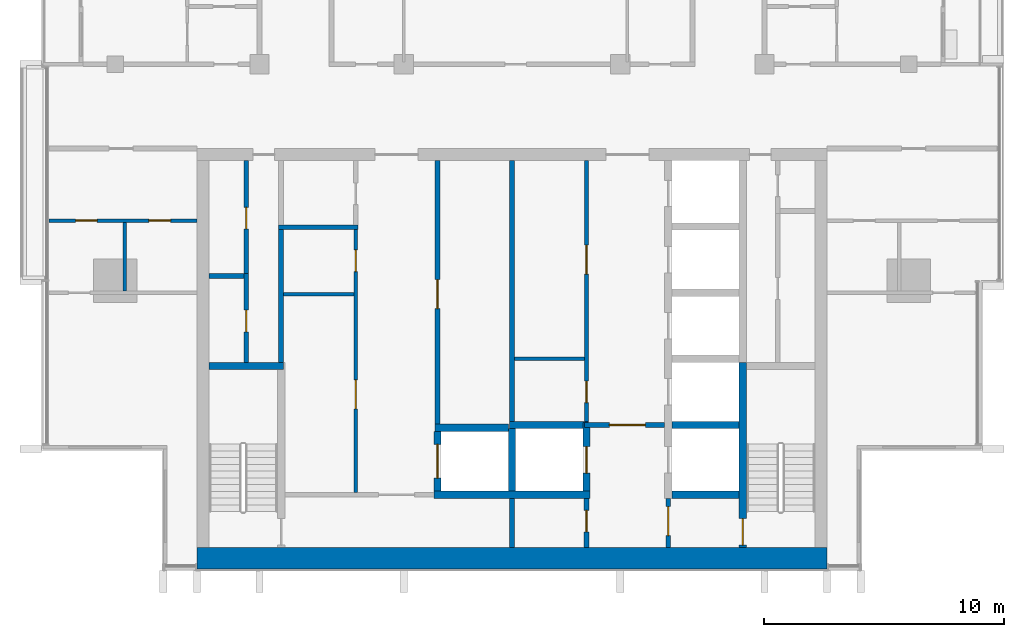
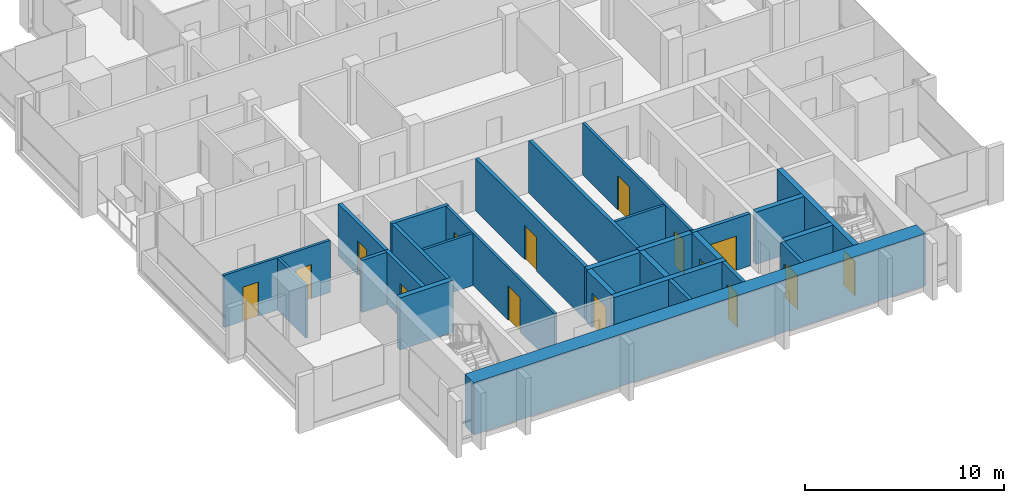
# One storey, part 7 of 16: 28 walls, 15 doors, 15 openings.
"""IFC4 building model written with IfcOpenShell, lengths in metres."""

from ifc_helpers import new_model, si_unit, direction, frame, frame_2d, origin, place, context, subcontext, project, spatial, rectangle, extrude, material, layer, layer_set, type_object, element, fill, save


model = new_model("IFC4")

# Units and contexts
model_context = context("Model", 3, precision=1e-05, world=origin(), true_north=direction((0.0, 1.0)))
body_context = subcontext(model_context, "Body", "Model", "MODEL_VIEW")
ifc_project = project(units=[si_unit("LENGTHUNIT", "METRE"), si_unit("AREAUNIT", "SQUARE_METRE"), si_unit("VOLUMEUNIT", "CUBIC_METRE"), si_unit("PLANEANGLEUNIT", "RADIAN"), si_unit("MASSUNIT", "GRAM", prefix="KILO")], contexts=[model_context])

# Site, building, storey
site_placement = place(None, origin())
site = spatial("IfcSite", under=ifc_project, at=site_placement, CompositionType="ELEMENT")
building_placement = place(site_placement, origin())
building = spatial("IfcBuilding", under=site, at=building_placement, Name="Finial Court Residences", CompositionType="ELEMENT")
storey_placement = place(building_placement, frame((0.0, 0.0, 295.10009765625)))
storey = spatial("IfcBuildingStorey", under=building, at=storey_placement, Name="L75", CompositionType="ELEMENT", Elevation=295.10009765625)

# Walls
ifc_material_1 = material(Name="Fire-rated gypsum board partition")
ifc_layer_1 = layer(ifc_material_1, 0.14990234375)
ifc_layer_set_1 = layer_set([ifc_layer_1], Name="Core room partition 150 EI 60")
wall_type_1 = type_object("IfcWallType", Name="Core room partition 150 EI 60", PredefinedType="PARTITIONING", material=ifc_layer_set_1)
wall_1_placement = place(storey_placement, frame((0.10009765625, -16.75, 0.0), z_axis=(0.0, 0.0, 1.0), x_axis=(1.0, 0.0, 0.0)))
element("IfcWall", 1, at=wall_1_placement, inside=storey, type_object=wall_type_1, Name="Core partition L75-10", PredefinedType="PARTITIONING", context=body_context, shape_type="SweptSolid", body=[
    extrude(rectangle(XDim=2.9248046875, YDim=0.14990234375, at=frame_2d((1.46240234375, 0.0))), origin(), (0.0, 0.0, 1.0), 3.199951171875),
])
wall_2_placement = place(storey_placement, frame((-9.5, -14.06005859375, 0.0), z_axis=(0.0, 0.0, 1.0), x_axis=(1.0, 0.0, 0.0)))
element("IfcWall", 2, at=wall_2_placement, inside=storey, type_object=wall_type_1, Name="Core partition L75-12", PredefinedType="PARTITIONING", context=body_context, shape_type="SweptSolid", body=[
    extrude(rectangle(XDim=2.925048828125, YDim=0.14990234375, at=frame_2d((1.46240234375, 0.0))), origin(), (0.0, 0.0, 1.0), 3.199951171875),
])

# Wall, openings, doors
wall_3_placement = place(storey_placement, frame((-6.5, -22.300048828125, 0.0), z_axis=(0.0, 0.0, 1.0), x_axis=(0.0, 1.0, 0.0)))
wall_3 = element("IfcWall", 3, at=wall_3_placement, inside=storey, type_object=wall_type_1, Name="Core partition L75-23", PredefinedType="PARTITIONING", context=body_context, shape_type="SweptSolid", body=[
    extrude(rectangle(XDim=10.920166015625, YDim=0.14990234375, at=frame_2d((5.4599609375, 0.0))), origin(), (0.0, 0.0, 1.0), 3.199951171875),
])
opening_1_placement = place(wall_3_placement, frame((3.469970703125, 0.0, 0.0)))
opening_1 = element("IfcOpeningElement", 4, at=opening_1_placement, cuts=wall_3, Name="Opening L75-C15", PredefinedType="OPENING", context=body_context, shape_type="SweptSolid", body=[
    extrude(rectangle(XDim=1.199951171875, YDim=2.10009765625, at=frame_2d((0.60009765625, 1.050048828125))), frame((0.0, 0.0849609375, 0.0), z_axis=(0.0, -1.0, 0.0), x_axis=(1.0, 0.0, 0.0)), (0.0, 0.0, 1.0), 0.169921875),
])
opening_2_placement = place(wall_3_placement, frame((9.179931640625, 0.0, 0.0)))
opening_2 = element("IfcOpeningElement", 5, at=opening_2_placement, cuts=wall_3, Name="Opening L75-C16", PredefinedType="OPENING", context=body_context, shape_type="SweptSolid", body=[
    extrude(rectangle(XDim=0.89990234375, YDim=2.10009765625, at=frame_2d((0.449951171875, 1.050048828125))), frame((0.0, 0.0849609375, 0.0), z_axis=(0.0, -1.0, 0.0), x_axis=(1.0, 0.0, 0.0)), (0.0, 0.0, 1.0), 0.169921875),
])
ifc_material_2 = material(Name="Steel fire door", Category="steel")
door_type_1 = type_object("IfcDoorType", Name="Core room door 1200 x 2100 EI 60", OperationType="NOTDEFINED", PredefinedType="DOOR", material=ifc_material_2)
door_1_placement = place(opening_1_placement, origin())
door_1 = element("IfcDoor", 6, at=door_1_placement, inside=storey, type_object=door_type_1, Name="Core room door L75-C15", OperationType="SINGLE_SWING_LEFT", OverallHeight=2.10009765625, OverallWidth=1.199951171875, PredefinedType="DOOR", context=body_context, shape_type="SweptSolid", body=[
    extrude(rectangle(XDim=1.199951171875, YDim=2.10009765625, at=frame_2d((0.60009765625, 1.050048828125))), frame((0.0, 0.02490234375, 0.0), z_axis=(0.0, -1.0, 0.0), x_axis=(1.0, 0.0, 0.0)), (0.0, 0.0, 1.0), 0.050048828125),
])
fill(opening_1, door_1)
door_type_2 = type_object("IfcDoorType", Name="Core room door 900 x 2100 EI 60", OperationType="NOTDEFINED", PredefinedType="DOOR", material=ifc_material_2)
door_2_placement = place(opening_2_placement, origin())
door_2 = element("IfcDoor", 7, at=door_2_placement, inside=storey, type_object=door_type_2, Name="Core room door L75-C16", OperationType="SINGLE_SWING_LEFT", OverallHeight=2.10009765625, OverallWidth=0.89990234375, PredefinedType="DOOR", context=body_context, shape_type="SweptSolid", body=[
    extrude(rectangle(XDim=0.89990234375, YDim=2.10009765625, at=frame_2d((0.449951171875, 1.050048828125))), frame((0.0, 0.02490234375, 0.0), z_axis=(0.0, -1.0, 0.0), x_axis=(1.0, 0.0, 0.0)), (0.0, 0.0, 1.0), 0.050048828125),
])
fill(opening_2, door_2)

wall_4_placement = place(storey_placement, frame((3.10009765625, -19.39990234375, 0.0), z_axis=(0.0, 0.0, 1.0), x_axis=(0.0, 1.0, 0.0)))
wall_4 = element("IfcWall", 8, at=wall_4_placement, inside=storey, type_object=wall_type_1, Name="Core partition L75-32", PredefinedType="PARTITIONING", context=body_context, shape_type="SweptSolid", body=[
    extrude(rectangle(XDim=10.89990234375, YDim=0.14990234375, at=frame_2d((5.449951171875, 0.0))), origin(), (0.0, 0.0, 1.0), 3.199951171875),
])
opening_3_placement = place(wall_4_placement, frame((0.824951171875, 0.0, 0.0)))
opening_3 = element("IfcOpeningElement", 9, at=opening_3_placement, cuts=wall_4, Name="Opening L75-C17", PredefinedType="OPENING", context=body_context, shape_type="SweptSolid", body=[
    extrude(rectangle(XDim=0.89990234375, YDim=2.10009765625, at=frame_2d((0.449951171875, 1.050048828125))), frame((0.0, 0.0849609375, 0.0), z_axis=(0.0, -1.0, 0.0), x_axis=(1.0, 0.0, 0.0)), (0.0, 0.0, 1.0), 0.169921875),
])
opening_4_placement = place(wall_4_placement, frame((6.175048828125, 0.0, 0.0)))
opening_4 = element("IfcOpeningElement", 10, at=opening_4_placement, cuts=wall_4, Name="Opening L75-C18", PredefinedType="OPENING", context=body_context, shape_type="SweptSolid", body=[
    extrude(rectangle(XDim=1.199951171875, YDim=2.10009765625, at=frame_2d((0.60009765625, 1.050048828125))), frame((0.0, 0.0849609375, 0.0), z_axis=(0.0, -1.0, 0.0), x_axis=(1.0, 0.0, 0.0)), (0.0, 0.0, 1.0), 0.169921875),
])
door_3_placement = place(opening_4_placement, origin())
door_3 = element("IfcDoor", 11, at=door_3_placement, inside=storey, type_object=door_type_1, Name="Core room door L75-C18", OperationType="SINGLE_SWING_LEFT", OverallHeight=2.10009765625, OverallWidth=1.199951171875, PredefinedType="DOOR", context=body_context, shape_type="SweptSolid", body=[
    extrude(rectangle(XDim=1.199951171875, YDim=2.10009765625, at=frame_2d((0.60009765625, 1.050048828125))), frame((0.0, 0.02490234375, 0.0), z_axis=(0.0, -1.0, 0.0), x_axis=(1.0, 0.0, 0.0)), (0.0, 0.0, 1.0), 0.050048828125),
])
fill(opening_4, door_3)
door_4_placement = place(opening_3_placement, origin())
door_4 = element("IfcDoor", 12, at=door_4_placement, inside=storey, type_object=door_type_2, Name="Core room door L75-C17", OperationType="SINGLE_SWING_LEFT", OverallHeight=2.10009765625, OverallWidth=0.89990234375, PredefinedType="DOOR", context=body_context, shape_type="SweptSolid", body=[
    extrude(rectangle(XDim=0.89990234375, YDim=2.10009765625, at=frame_2d((0.449951171875, 1.050048828125))), frame((0.0, 0.02490234375, 0.0), z_axis=(0.0, -1.0, 0.0), x_axis=(1.0, 0.0, 0.0)), (0.0, 0.0, 1.0), 0.050048828125),
])
fill(opening_3, door_4)

# Wall
ifc_material_3 = material(Name="Concrete C50/60", Category="concrete")
ifc_layer_2 = layer(ifc_material_3, 0.89990234375)
ifc_layer_set_2 = layer_set([ifc_layer_2], Name="Core south facade wall 900 Concrete C50/60")
wall_type_2 = type_object("IfcWallType", Name="Core south facade wall 900 Concrete C50/60", PredefinedType="SHEAR", material=ifc_layer_set_2)
wall_5_placement = place(storey_placement, frame((-13.10009765625, -25.050048828125, 0.0), z_axis=(0.0, 0.0, 1.0), x_axis=(1.0, 0.0, 0.0)))
element("IfcWall", 13, at=wall_5_placement, inside=storey, type_object=wall_type_2, Name="Core outer wall L75-01", PredefinedType="SHEAR", context=body_context, shape_type="SweptSolid", body=[
    extrude(rectangle(XDim=26.2001953125, YDim=0.89990234375, at=frame_2d((13.10009765625, 0.0))), origin(), (0.0, 0.0, 1.0), 3.199951171875),
])

# Wall, opening, door
ifc_layer_3 = layer(ifc_material_1, 0.199951171875)
ifc_layer_set_3 = layer_set([ifc_layer_3], Name="Firefighting lobby wall 200 EI 120")
wall_type_3 = type_object("IfcWallType", Name="Firefighting lobby wall 200 EI 120", PredefinedType="PARTITIONING", material=ifc_layer_set_3)
wall_6_placement = place(storey_placement, frame((6.35009765625, -19.5, 0.0), z_axis=(0.0, 0.0, 1.0), x_axis=(-1.0, 0.0, 0.0)))
wall_6 = element("IfcWall", 14, at=wall_6_placement, inside=storey, type_object=wall_type_3, Name="Core partition L75-06", PredefinedType="PARTITIONING", context=body_context, shape_type="SweptSolid", body=[
    extrude(rectangle(XDim=3.3251953125, YDim=0.199951171875, at=frame_2d((1.66259765625, 0.0))), origin(), (0.0, 0.0, 1.0), 3.199951171875),
])
opening_5_placement = place(wall_6_placement, frame((0.800048828125, 0.0, 0.0)))
opening_5 = element("IfcOpeningElement", 15, at=opening_5_placement, cuts=wall_6, Name="Opening L75-C02", PredefinedType="OPENING", context=body_context, shape_type="SweptSolid", body=[
    extrude(rectangle(XDim=1.5, YDim=2.10009765625, at=frame_2d((0.75, 1.050048828125))), frame((0.0, 0.10986328125, 0.0), z_axis=(0.0, -1.0, 0.0), x_axis=(1.0, 0.0, 0.0)), (0.0, 0.0, 1.0), 0.219970703125),
])
door_type_3 = type_object("IfcDoorType", Name="Firefighting lobby door 1500 x 2100 EI 90", OperationType="DOUBLE_DOOR_SINGLE_SWING", PredefinedType="DOOR", material=ifc_material_2)
door_5_placement = place(opening_5_placement, origin())
door_5 = element("IfcDoor", 16, at=door_5_placement, inside=storey, type_object=door_type_3, Name="Firefighting lobby door L75-C02", OperationType="DOUBLE_DOOR_SINGLE_SWING", OverallHeight=2.10009765625, OverallWidth=1.5, PredefinedType="DOOR", context=body_context, shape_type="SweptSolid", body=[
    extrude(rectangle(XDim=1.5, YDim=2.10009765625, at=frame_2d((0.75, 1.050048828125))), frame((0.0, 0.02490234375, 0.0), z_axis=(0.0, -1.0, 0.0), x_axis=(1.0, 0.0, 0.0)), (0.0, 0.0, 1.0), 0.050048828125),
])
fill(opening_5, door_5)

wall_7_placement = place(storey_placement, frame((3.10009765625, -24.60009765625, 0.0), z_axis=(0.0, 0.0, 1.0), x_axis=(0.0, 1.0, 0.0)))
wall_7 = element("IfcWall", 17, at=wall_7_placement, inside=storey, type_object=wall_type_3, Name="Core partition L75-30", PredefinedType="PARTITIONING", context=body_context, shape_type="SweptSolid", body=[
    extrude(rectangle(XDim=2.050048828125, YDim=0.199951171875, at=frame_2d((1.02490234375, 0.0))), origin(), (0.0, 0.0, 1.0), 3.199951171875),
])
opening_6_placement = place(wall_7_placement, frame((0.64990234375, 0.0, 0.0)))
opening_6 = element("IfcOpeningElement", 18, at=opening_6_placement, cuts=wall_7, Name="Opening L75-C06", PredefinedType="OPENING", context=body_context, shape_type="SweptSolid", body=[
    extrude(rectangle(XDim=0.89990234375, YDim=2.10009765625, at=frame_2d((0.449951171875, 1.050048828125))), frame((0.0, 0.10986328125, 0.0), z_axis=(0.0, -1.0, 0.0), x_axis=(1.0, 0.0, 0.0)), (0.0, 0.0, 1.0), 0.219970703125),
])
door_type_4 = type_object("IfcDoorType", Name="Riser room door 900 x 2100 EI 90", OperationType="NOTDEFINED", PredefinedType="DOOR", material=ifc_material_2)
door_6_placement = place(opening_6_placement, origin())
door_6 = element("IfcDoor", 19, at=door_6_placement, inside=storey, type_object=door_type_4, Name="Riser room door L75-C06", OperationType="SINGLE_SWING_LEFT", OverallHeight=2.10009765625, OverallWidth=0.89990234375, PredefinedType="DOOR", context=body_context, shape_type="SweptSolid", body=[
    extrude(rectangle(XDim=0.89990234375, YDim=2.10009765625, at=frame_2d((0.449951171875, 1.050048828125))), frame((0.0, 0.02490234375, 0.0), z_axis=(0.0, -1.0, 0.0), x_axis=(1.0, 0.0, 0.0)), (0.0, 0.0, 1.0), 0.050048828125),
])
fill(opening_6, door_6)

wall_8_placement = place(storey_placement, frame((6.5, -22.550048828125, 0.0), z_axis=(0.0, 0.0, 1.0), x_axis=(0.0, -1.0, 0.0)))
wall_8 = element("IfcWall", 20, at=wall_8_placement, inside=storey, type_object=wall_type_3, Name="Core partition L75-33", PredefinedType="PARTITIONING", context=body_context, shape_type="SweptSolid", body=[
    extrude(rectangle(XDim=2.050048828125, YDim=0.199951171875, at=frame_2d((1.02490234375, 0.0))), origin(), (0.0, 0.0, 1.0), 3.199951171875),
])
opening_7_placement = place(wall_8_placement, frame((0.35009765625, 0.0, 0.0)))
opening_7 = element("IfcOpeningElement", 21, at=opening_7_placement, cuts=wall_8, Name="Opening L75-C01", PredefinedType="OPENING", context=body_context, shape_type="SweptSolid", body=[
    extrude(rectangle(XDim=1.199951171875, YDim=2.10009765625, at=frame_2d((0.60009765625, 1.050048828125))), frame((0.0, 0.10986328125, 0.0), z_axis=(0.0, -1.0, 0.0), x_axis=(1.0, 0.0, 0.0)), (0.0, 0.0, 1.0), 0.219970703125),
])
door_type_5 = type_object("IfcDoorType", Name="Firefighting lobby door 1200 x 2100 EI 90", OperationType="NOTDEFINED", PredefinedType="DOOR", material=ifc_material_2)
door_7_placement = place(opening_7_placement, origin())
door_7 = element("IfcDoor", 22, at=door_7_placement, inside=storey, type_object=door_type_5, Name="Firefighting lobby door L75-C01", OperationType="SINGLE_SWING_RIGHT", OverallHeight=2.10009765625, OverallWidth=1.199951171875, PredefinedType="DOOR", context=body_context, shape_type="SweptSolid", body=[
    extrude(rectangle(XDim=1.199951171875, YDim=2.10009765625, at=frame_2d((0.60009765625, 1.050048828125))), frame((0.0, 0.02490234375, 0.0), z_axis=(0.0, -1.0, 0.0), x_axis=(1.0, 0.0, 0.0)), (0.0, 0.0, 1.0), 0.050048828125),
])
fill(opening_7, door_7)

# Wall, openings, doors
ifc_material_4 = material(Name="Moisture-resistant gypsum board")
ifc_layer_4 = layer(ifc_material_4, 0.012451171875)
ifc_material_5 = material(Name="Mineral wool in light-gauge frame")
ifc_layer_5 = layer(ifc_material_5, 0.125)
ifc_layer_6 = layer(ifc_material_4, 0.012451171875)
ifc_layer_set_4 = layer_set([ifc_layer_4, ifc_layer_5, ifc_layer_6], Name="Gypsum board wet-area partition 150")
wall_type_4 = type_object("IfcWallType", Name="Gypsum board wet-area partition 150", PredefinedType="PARTITIONING", material=ifc_layer_set_4)
wall_9_placement = place(storey_placement, frame((-19.262451171875, -11.0, 0.0), z_axis=(0.0, 0.0, 1.0), x_axis=(1.0, 0.0, 0.0)))
wall_9 = element("IfcWall", 23, at=wall_9_placement, inside=storey, type_object=wall_type_4, Name="Partition L75-002", PredefinedType="PARTITIONING", context=body_context, shape_type="SweptSolid", body=[
    extrude(rectangle(XDim=6.162353515625, YDim=0.14990234375, at=frame_2d((3.0810546875, 0.0))), origin(), (0.0, 0.0, 1.0), 3.199951171875),
])
opening_8_placement = place(wall_9_placement, frame((1.113037109375, 0.0, 0.0)))
opening_8 = element("IfcOpeningElement", 24, at=opening_8_placement, cuts=wall_9, Name="Opening L75-D003", PredefinedType="OPENING", context=body_context, shape_type="SweptSolid", body=[
    extrude(rectangle(XDim=0.89990234375, YDim=2.10009765625, at=frame_2d((0.449951171875, 1.050048828125))), frame((0.0, 0.0849609375, 0.0), z_axis=(0.0, -1.0, 0.0), x_axis=(1.0, 0.0, 0.0)), (0.0, 0.0, 1.0), 0.169921875),
])
opening_9_placement = place(wall_9_placement, frame((4.162109375, 0.0, 0.0)))
opening_9 = element("IfcOpeningElement", 25, at=opening_9_placement, cuts=wall_9, Name="Opening L75-D004", PredefinedType="OPENING", context=body_context, shape_type="SweptSolid", body=[
    extrude(rectangle(XDim=0.89990234375, YDim=2.10009765625, at=frame_2d((0.449951171875, 1.050048828125))), frame((0.0, 0.0849609375, 0.0), z_axis=(0.0, -1.0, 0.0), x_axis=(1.0, 0.0, 0.0)), (0.0, 0.0, 1.0), 0.169921875),
])
ifc_material_6 = material(Name="Timber door leaf in timber frame", Category="wood")
door_type_6 = type_object("IfcDoorType", Name="Door set 900 x 2100", OperationType="SINGLE_SWING_LEFT", PredefinedType="DOOR", material=ifc_material_6)
door_8_placement = place(opening_8_placement, origin())
door_8 = element("IfcDoor", 26, at=door_8_placement, inside=storey, type_object=door_type_6, Name="Door L75-D003", OperationType="SINGLE_SWING_LEFT", OverallHeight=2.10009765625, OverallWidth=0.89990234375, PredefinedType="DOOR", context=body_context, shape_type="SweptSolid", body=[
    extrude(rectangle(XDim=0.89990234375, YDim=2.10009765625, at=frame_2d((0.449951171875, 1.050048828125))), frame((0.0, 0.02490234375, 0.0), z_axis=(0.0, -1.0, 0.0), x_axis=(1.0, 0.0, 0.0)), (0.0, 0.0, 1.0), 0.050048828125),
])
fill(opening_8, door_8)
door_9_placement = place(opening_9_placement, origin())
door_9 = element("IfcDoor", 27, at=door_9_placement, inside=storey, type_object=door_type_6, Name="Door L75-D004", OperationType="SINGLE_SWING_RIGHT", OverallHeight=2.10009765625, OverallWidth=0.89990234375, PredefinedType="DOOR", context=body_context, shape_type="SweptSolid", body=[
    extrude(rectangle(XDim=0.89990234375, YDim=2.10009765625, at=frame_2d((0.449951171875, 1.050048828125))), frame((0.0, 0.02490234375, 0.0), z_axis=(0.0, -1.0, 0.0), x_axis=(1.0, 0.0, 0.0)), (0.0, 0.0, 1.0), 0.050048828125),
])
fill(opening_9, door_9)

# Walls
wall_10_placement = place(storey_placement, frame((-16.10009765625, -13.925048828125, 0.0), z_axis=(0.0, 0.0, 1.0), x_axis=(0.0, 1.0, 0.0)))
element("IfcWall", 28, at=wall_10_placement, inside=storey, type_object=wall_type_4, Name="Partition L75-031", PredefinedType="PARTITIONING", context=body_context, shape_type="SweptSolid", body=[
    extrude(rectangle(XDim=2.85009765625, YDim=0.14990234375, at=frame_2d((1.425048828125, 0.0))), origin(), (0.0, 0.0, 1.0), 3.199951171875),
])
ifc_layer_7 = layer(ifc_material_3, 0.300048828125)
ifc_layer_set_5 = layer_set([ifc_layer_7], Name="Lift shaft and stair wall 300 Concrete C50/60")
wall_type_5 = type_object("IfcWallType", Name="Lift shaft and stair wall 300 Concrete C50/60", PredefinedType="SHEAR", material=ifc_layer_set_5)
wall_11_placement = place(storey_placement, frame((-3.25, -22.39990234375, 0.0), z_axis=(0.0, 0.0, 1.0), x_axis=(1.0, 0.0, 0.0)))
element("IfcWall", 29, at=wall_11_placement, inside=storey, type_object=wall_type_5, Name="Core wall L75-02", PredefinedType="SHEAR", context=body_context, shape_type="SweptSolid", body=[
    extrude(rectangle(XDim=6.5, YDim=0.300048828125, at=frame_2d((3.25, 0.0))), origin(), (0.0, 0.0, 1.0), 3.199951171875),
])
wall_12_placement = place(storey_placement, frame((6.64990234375, -22.39990234375, 0.0), z_axis=(0.0, 0.0, 1.0), x_axis=(1.0, 0.0, 0.0)))
element("IfcWall", 30, at=wall_12_placement, inside=storey, type_object=wall_type_5, Name="Core wall L75-03", PredefinedType="SHEAR", context=body_context, shape_type="SweptSolid", body=[
    extrude(rectangle(XDim=2.800048828125, YDim=0.300048828125, at=frame_2d((1.39990234375, 0.0))), origin(), (0.0, 0.0, 1.0), 3.199951171875),
])
wall_13_placement = place(storey_placement, frame((-3.199951171875, -19.6201171875, 0.0), z_axis=(0.0, 0.0, 1.0), x_axis=(1.0, 0.0, 0.0)))
element("IfcWall", 31, at=wall_13_placement, inside=storey, type_object=wall_type_5, Name="Core wall L75-04", PredefinedType="SHEAR", context=body_context, shape_type="SweptSolid", body=[
    extrude(rectangle(XDim=3.050048828125, YDim=0.300048828125, at=frame_2d((1.52490234375, 0.0))), origin(), (0.0, 0.0, 1.0), 3.199951171875),
])
wall_14_placement = place(storey_placement, frame((-0.10009765625, -19.5, 0.0), z_axis=(0.0, 0.0, 1.0), x_axis=(1.0, 0.0, 0.0)))
element("IfcWall", 32, at=wall_14_placement, inside=storey, type_object=wall_type_5, Name="Core wall L75-05", PredefinedType="SHEAR", context=body_context, shape_type="SweptSolid", body=[
    extrude(rectangle(XDim=3.275146484375, YDim=0.300048828125, at=frame_2d((1.6376953125, 0.0))), origin(), (0.0, 0.0, 1.0), 3.199951171875),
])
wall_15_placement = place(storey_placement, frame((6.64990234375, -19.5, 0.0), z_axis=(0.0, 0.0, 1.0), x_axis=(1.0, 0.0, 0.0)))
element("IfcWall", 33, at=wall_15_placement, inside=storey, type_object=wall_type_5, Name="Core wall L75-07", PredefinedType="SHEAR", context=body_context, shape_type="SweptSolid", body=[
    extrude(rectangle(XDim=2.800048828125, YDim=0.300048828125, at=frame_2d((1.39990234375, 0.0))), origin(), (0.0, 0.0, 1.0), 3.199951171875),
])
wall_16_placement = place(storey_placement, frame((-12.60009765625, -17.050048828125, 0.0), z_axis=(0.0, 0.0, 1.0), x_axis=(1.0, 0.0, 0.0)))
element("IfcWall", 34, at=wall_16_placement, inside=storey, type_object=wall_type_5, Name="Core wall L75-08", PredefinedType="SHEAR", context=body_context, shape_type="SweptSolid", body=[
    extrude(rectangle(XDim=3.10009765625, YDim=0.300048828125, at=frame_2d((1.550048828125, 0.0))), origin(), (0.0, 0.0, 1.0), 3.199951171875),
])

# Wall, opening, door
wall_17_placement = place(storey_placement, frame((-3.10009765625, -22.25, 0.0), z_axis=(0.0, 0.0, 1.0), x_axis=(0.0, 1.0, 0.0)))
wall_17 = element("IfcWall", 35, at=wall_17_placement, inside=storey, type_object=wall_type_5, Name="Core wall L75-25", PredefinedType="SHEAR", context=body_context, shape_type="SweptSolid", body=[
    extrude(rectangle(XDim=2.47998046875, YDim=0.300048828125, at=frame_2d((1.239990234375, 0.0))), origin(), (0.0, 0.0, 1.0), 3.199951171875),
])
opening_10_placement = place(wall_17_placement, frame((0.5400390625, 0.0, 0.0)))
opening_10 = element("IfcOpeningElement", 36, at=opening_10_placement, cuts=wall_17, Name="Opening L75-LD07", PredefinedType="OPENING", context=body_context, shape_type="SweptSolid", body=[
    extrude(rectangle(XDim=1.39990234375, YDim=2.10009765625, at=frame_2d((0.699951171875, 1.050048828125))), frame((0.0, 0.159912109375, 0.0), z_axis=(0.0, -1.0, 0.0), x_axis=(1.0, 0.0, 0.0)), (0.0, 0.0, 1.0), 0.320068359375),
])
ifc_material_7 = material(Name="Stainless steel lift door", Category="steel")
door_type_7 = type_object("IfcDoorType", Name="Lift landing door 1400 x 2100 EI 90", OperationType="DOUBLE_DOOR_SLIDING", PredefinedType="DOOR", material=ifc_material_7)
door_10_placement = place(opening_10_placement, origin())
door_10 = element("IfcDoor", 37, at=door_10_placement, inside=storey, type_object=door_type_7, Name="Lift landing door SV1 L75", OperationType="DOUBLE_DOOR_SLIDING", OverallHeight=2.10009765625, OverallWidth=1.39990234375, PredefinedType="DOOR", context=body_context, shape_type="SweptSolid", body=[
    extrude(rectangle(XDim=1.39990234375, YDim=2.10009765625, at=frame_2d((0.699951171875, 1.050048828125))), frame((0.0, 0.02490234375, 0.0), z_axis=(0.0, -1.0, 0.0), x_axis=(1.0, 0.0, 0.0)), (0.0, 0.0, 1.0), 0.050048828125),
])
fill(opening_10, door_10)

# Wall
wall_18_placement = place(storey_placement, frame((0.0, -22.25, 0.0), z_axis=(0.0, 0.0, 1.0), x_axis=(0.0, 1.0, 0.0)))
element("IfcWall", 38, at=wall_18_placement, inside=storey, type_object=wall_type_5, Name="Core wall L75-28", PredefinedType="SHEAR", context=body_context, shape_type="SweptSolid", body=[
    extrude(rectangle(XDim=2.60009765625, YDim=0.300048828125, at=frame_2d((1.300048828125, 0.0))), origin(), (0.0, 0.0, 1.0), 3.199951171875),
])

# Wall, opening, door
wall_19_placement = place(storey_placement, frame((3.10009765625, -22.25, 0.0), z_axis=(0.0, 0.0, 1.0), x_axis=(0.0, 1.0, 0.0)))
wall_19 = element("IfcWall", 39, at=wall_19_placement, inside=storey, type_object=wall_type_5, Name="Core wall L75-31", PredefinedType="SHEAR", context=body_context, shape_type="SweptSolid", body=[
    extrude(rectangle(XDim=2.85009765625, YDim=0.300048828125, at=frame_2d((1.425048828125, 0.0))), origin(), (0.0, 0.0, 1.0), 3.199951171875),
])
opening_11_placement = place(wall_19_placement, frame((0.75, 0.0, 0.0)))
opening_11 = element("IfcOpeningElement", 40, at=opening_11_placement, cuts=wall_19, Name="Opening L75-LD01", PredefinedType="OPENING", context=body_context, shape_type="SweptSolid", body=[
    extrude(rectangle(XDim=1.10009765625, YDim=2.10009765625, at=frame_2d((0.550048828125, 1.050048828125))), frame((0.0, 0.159912109375, 0.0), z_axis=(0.0, -1.0, 0.0), x_axis=(1.0, 0.0, 0.0)), (0.0, 0.0, 1.0), 0.320068359375),
])
door_type_8 = type_object("IfcDoorType", Name="Lift landing door 1100 x 2100 EI 90", OperationType="DOUBLE_DOOR_SLIDING", PredefinedType="DOOR", material=ifc_material_7)
door_11_placement = place(opening_11_placement, origin())
door_11 = element("IfcDoor", 41, at=door_11_placement, inside=storey, type_object=door_type_8, Name="Lift landing door FF1 L75", OperationType="DOUBLE_DOOR_SLIDING", OverallHeight=2.10009765625, OverallWidth=1.10009765625, PredefinedType="DOOR", context=body_context, shape_type="SweptSolid", body=[
    extrude(rectangle(XDim=1.10009765625, YDim=2.10009765625, at=frame_2d((0.550048828125, 1.050048828125))), frame((0.0, 0.02490234375, 0.0), z_axis=(0.0, -1.0, 0.0), x_axis=(1.0, 0.0, 0.0)), (0.0, 0.0, 1.0), 0.050048828125),
])
fill(opening_11, door_11)

wall_20_placement = place(storey_placement, frame((9.60009765625, -16.89990234375, 0.0), z_axis=(0.0, 0.0, 1.0), x_axis=(0.0, -1.0, 0.0)))
wall_20 = element("IfcWall", 42, at=wall_20_placement, inside=storey, type_object=wall_type_5, Name="Core wall L75-35", PredefinedType="SHEAR", context=body_context, shape_type="SweptSolid", body=[
    extrude(rectangle(XDim=7.7001953125, YDim=0.300048828125, at=frame_2d((3.85009765625, 0.0))), origin(), (0.0, 0.0, 1.0), 3.199951171875),
])
opening_12_placement = place(wall_20_placement, frame((6.5, 0.0, 0.0)))
opening_12 = element("IfcOpeningElement", 43, at=opening_12_placement, cuts=wall_20, Name="Opening L75-C20", PredefinedType="OPENING", context=body_context, shape_type="SweptSolid", body=[
    extrude(rectangle(XDim=1.10009765625, YDim=2.10009765625, at=frame_2d((0.550048828125, 1.050048828125))), frame((0.0, 0.159912109375, 0.0), z_axis=(0.0, -1.0, 0.0), x_axis=(1.0, 0.0, 0.0)), (0.0, 0.0, 1.0), 0.320068359375),
])
door_type_9 = type_object("IfcDoorType", Name="Stair door 1100 x 2100 EI 90", OperationType="NOTDEFINED", PredefinedType="DOOR", material=ifc_material_2)
door_12_placement = place(opening_12_placement, origin())
door_12 = element("IfcDoor", 44, at=door_12_placement, inside=storey, type_object=door_type_9, Name="Stair door L75-C20", OperationType="SINGLE_SWING_RIGHT", OverallHeight=2.10009765625, OverallWidth=1.10009765625, PredefinedType="DOOR", context=body_context, shape_type="SweptSolid", body=[
    extrude(rectangle(XDim=1.10009765625, YDim=2.10009765625, at=frame_2d((0.550048828125, 1.050048828125))), frame((0.0, 0.02490234375, 0.0), z_axis=(0.0, -1.0, 0.0), x_axis=(1.0, 0.0, 0.0)), (0.0, 0.0, 1.0), 0.050048828125),
])
fill(opening_12, door_12)

# Walls
ifc_layer_8 = layer(ifc_material_1, 0.199951171875)
ifc_layer_set_6 = layer_set([ifc_layer_8], Name="Riser room wall 200 EI 120")
wall_type_6 = type_object("IfcWallType", Name="Riser room wall 200 EI 120", PredefinedType="PARTITIONING", material=ifc_layer_set_6)
wall_21_placement = place(storey_placement, frame((-12.60009765625, -13.300048828125, 0.0), z_axis=(0.0, 0.0, 1.0), x_axis=(1.0, 0.0, 0.0)))
element("IfcWall", 45, at=wall_21_placement, inside=storey, type_object=wall_type_6, Name="Core partition L75-14", PredefinedType="PARTITIONING", context=body_context, shape_type="SweptSolid", body=[
    extrude(rectangle(XDim=1.4501953125, YDim=0.199951171875, at=frame_2d((0.72509765625, 0.0))), origin(), (0.0, 0.0, 1.0), 3.199951171875),
])
wall_22_placement = place(storey_placement, frame((-9.699951171875, -11.280029296875, 0.0), z_axis=(0.0, 0.0, 1.0), x_axis=(1.0, 0.0, 0.0)))
element("IfcWall", 46, at=wall_22_placement, inside=storey, type_object=wall_type_6, Name="Core partition L75-15", PredefinedType="PARTITIONING", context=body_context, shape_type="SweptSolid", body=[
    extrude(rectangle(XDim=3.300048828125, YDim=0.199951171875, at=frame_2d((1.64990234375, 0.0))), origin(), (0.0, 0.0, 1.0), 3.199951171875),
])

# Wall, opening, door
wall_23_placement = place(storey_placement, frame((-11.050048828125, -13.39990234375, 0.0), z_axis=(0.0, 0.0, 1.0), x_axis=(0.0, 1.0, 0.0)))
wall_23 = element("IfcWall", 47, at=wall_23_placement, inside=storey, type_object=wall_type_6, Name="Core partition L75-19", PredefinedType="PARTITIONING", context=body_context, shape_type="SweptSolid", body=[
    extrude(rectangle(XDim=4.89990234375, YDim=0.199951171875, at=frame_2d((2.449951171875, 0.0))), origin(), (0.0, 0.0, 1.0), 3.199951171875),
])
opening_13_placement = place(wall_23_placement, frame((2.050048828125, 0.0, 0.0)))
opening_13 = element("IfcOpeningElement", 48, at=opening_13_placement, cuts=wall_23, Name="Opening L75-C07", PredefinedType="OPENING", context=body_context, shape_type="SweptSolid", body=[
    extrude(rectangle(XDim=0.89990234375, YDim=2.10009765625, at=frame_2d((0.449951171875, 1.050048828125))), frame((0.0, 0.10986328125, 0.0), z_axis=(0.0, -1.0, 0.0), x_axis=(1.0, 0.0, 0.0)), (0.0, 0.0, 1.0), 0.219970703125),
])
door_13_placement = place(opening_13_placement, origin())
door_13 = element("IfcDoor", 49, at=door_13_placement, inside=storey, type_object=door_type_4, Name="Riser room door L75-C07", OperationType="SINGLE_SWING_LEFT", OverallHeight=2.10009765625, OverallWidth=0.89990234375, PredefinedType="DOOR", context=body_context, shape_type="SweptSolid", body=[
    extrude(rectangle(XDim=0.89990234375, YDim=2.10009765625, at=frame_2d((0.449951171875, 1.050048828125))), frame((0.0, 0.02490234375, 0.0), z_axis=(0.0, -1.0, 0.0), x_axis=(1.0, 0.0, 0.0)), (0.0, 0.0, 1.0), 0.050048828125),
])
fill(opening_13, door_13)

wall_24_placement = place(storey_placement, frame((-3.10009765625, -8.5, 0.0), z_axis=(0.0, 0.0, 1.0), x_axis=(0.0, -1.0, 0.0)))
wall_24 = element("IfcWall", 50, at=wall_24_placement, inside=storey, type_object=wall_type_6, Name="Core partition L75-26", PredefinedType="PARTITIONING", context=body_context, shape_type="SweptSolid", body=[
    extrude(rectangle(XDim=10.969970703125, YDim=0.199951171875, at=frame_2d((5.48486328125, 0.0))), origin(), (0.0, 0.0, 1.0), 3.199951171875),
])
opening_14_placement = place(wall_24_placement, frame((4.9599609375, 0.0, 0.0)))
opening_14 = element("IfcOpeningElement", 51, at=opening_14_placement, cuts=wall_24, Name="Opening L75-C10", PredefinedType="OPENING", context=body_context, shape_type="SweptSolid", body=[
    extrude(rectangle(XDim=1.199951171875, YDim=2.10009765625, at=frame_2d((0.60009765625, 1.050048828125))), frame((0.0, 0.10986328125, 0.0), z_axis=(0.0, -1.0, 0.0), x_axis=(1.0, 0.0, 0.0)), (0.0, 0.0, 1.0), 0.219970703125),
])
door_type_10 = type_object("IfcDoorType", Name="Riser room door 1200 x 2100 EI 90", OperationType="NOTDEFINED", PredefinedType="DOOR", material=ifc_material_2)
door_14_placement = place(opening_14_placement, origin())
door_14 = element("IfcDoor", 52, at=door_14_placement, inside=storey, type_object=door_type_10, Name="Riser room door L75-C10", OperationType="SINGLE_SWING_RIGHT", OverallHeight=2.10009765625, OverallWidth=1.199951171875, PredefinedType="DOOR", context=body_context, shape_type="SweptSolid", body=[
    extrude(rectangle(XDim=1.199951171875, YDim=2.10009765625, at=frame_2d((0.60009765625, 1.050048828125))), frame((0.0, 0.02490234375, 0.0), z_axis=(0.0, -1.0, 0.0), x_axis=(1.0, 0.0, 0.0)), (0.0, 0.0, 1.0), 0.050048828125),
])
fill(opening_14, door_14)

# Walls
wall_25_placement = place(storey_placement, frame((0.0, -24.60009765625, 0.0), z_axis=(0.0, 0.0, 1.0), x_axis=(0.0, 1.0, 0.0)))
element("IfcWall", 53, at=wall_25_placement, inside=storey, type_object=wall_type_6, Name="Core partition L75-27", PredefinedType="PARTITIONING", context=body_context, shape_type="SweptSolid", body=[
    extrude(rectangle(XDim=2.050048828125, YDim=0.199951171875, at=frame_2d((1.02490234375, 0.0))), origin(), (0.0, 0.0, 1.0), 3.199951171875),
])
wall_26_placement = place(storey_placement, frame((0.0, -19.35009765625, 0.0), z_axis=(0.0, 0.0, 1.0), x_axis=(0.0, 1.0, 0.0)))
element("IfcWall", 54, at=wall_26_placement, inside=storey, type_object=wall_type_6, Name="Core partition L75-29", PredefinedType="PARTITIONING", context=body_context, shape_type="SweptSolid", body=[
    extrude(rectangle(XDim=10.85009765625, YDim=0.199951171875, at=frame_2d((5.425048828125, 0.0))), origin(), (0.0, 0.0, 1.0), 3.199951171875),
])

# Wall, opening, door
ifc_layer_9 = layer(ifc_material_1, 0.199951171875)
ifc_layer_set_7 = layer_set([ifc_layer_9], Name="Stair passage wall 200 EI 180")
wall_type_7 = type_object("IfcWallType", Name="Stair passage wall 200 EI 180", PredefinedType="PARTITIONING", material=ifc_layer_set_7)
wall_27_placement = place(storey_placement, frame((-11.050048828125, -16.89990234375, 0.0), z_axis=(0.0, 0.0, 1.0), x_axis=(0.0, 1.0, 0.0)))
wall_27 = element("IfcWall", 55, at=wall_27_placement, inside=storey, type_object=wall_type_7, Name="Core partition L75-18", PredefinedType="PARTITIONING", context=body_context, shape_type="SweptSolid", body=[
    extrude(rectangle(XDim=3.699951171875, YDim=0.199951171875, at=frame_2d((1.85009765625, 0.0))), origin(), (0.0, 0.0, 1.0), 3.199951171875),
])
opening_15_placement = place(wall_27_placement, frame((1.27490234375, 0.0, 0.0)))
opening_15 = element("IfcOpeningElement", 56, at=opening_15_placement, cuts=wall_27, Name="Opening L75-C13", PredefinedType="OPENING", context=body_context, shape_type="SweptSolid", body=[
    extrude(rectangle(XDim=0.89990234375, YDim=2.10009765625, at=frame_2d((0.449951171875, 1.050048828125))), frame((0.0, 0.10986328125, 0.0), z_axis=(0.0, -1.0, 0.0), x_axis=(1.0, 0.0, 0.0)), (0.0, 0.0, 1.0), 0.219970703125),
])
door_15_placement = place(opening_15_placement, origin())
door_15 = element("IfcDoor", 57, at=door_15_placement, inside=storey, type_object=door_type_2, Name="Core room door L75-C13", OperationType="SINGLE_SWING_LEFT", OverallHeight=2.10009765625, OverallWidth=0.89990234375, PredefinedType="DOOR", context=body_context, shape_type="SweptSolid", body=[
    extrude(rectangle(XDim=0.89990234375, YDim=2.10009765625, at=frame_2d((0.449951171875, 1.050048828125))), frame((0.0, 0.02490234375, 0.0), z_axis=(0.0, -1.0, 0.0), x_axis=(1.0, 0.0, 0.0)), (0.0, 0.0, 1.0), 0.050048828125),
])
fill(opening_15, door_15)

# Wall
wall_28_placement = place(storey_placement, frame((-9.60009765625, -16.89990234375, 0.0), z_axis=(0.0, 0.0, 1.0), x_axis=(0.0, 1.0, 0.0)))
element("IfcWall", 58, at=wall_28_placement, inside=storey, type_object=wall_type_7, Name="Core partition L75-21", PredefinedType="PARTITIONING", context=body_context, shape_type="SweptSolid", body=[
    extrude(rectangle(XDim=5.719970703125, YDim=0.199951171875, at=frame_2d((2.85986328125, 0.0))), origin(), (0.0, 0.0, 1.0), 3.199951171875),
])

save(model, "model.ifc")
